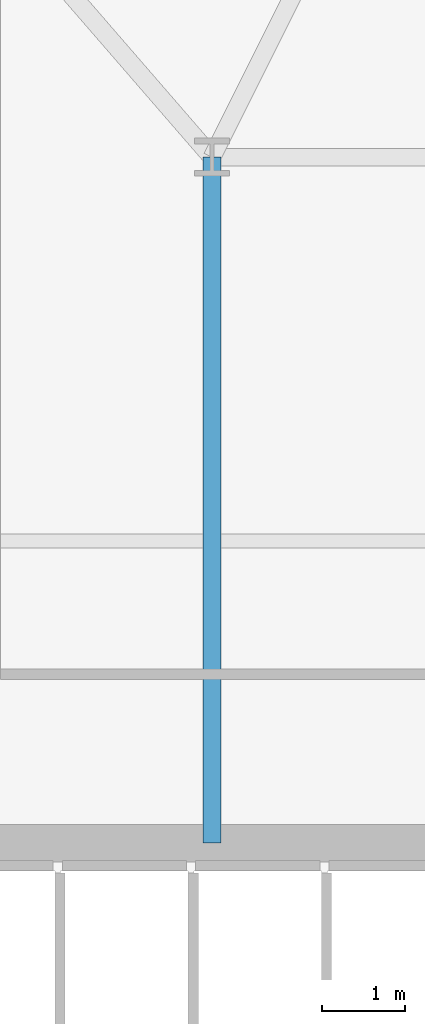
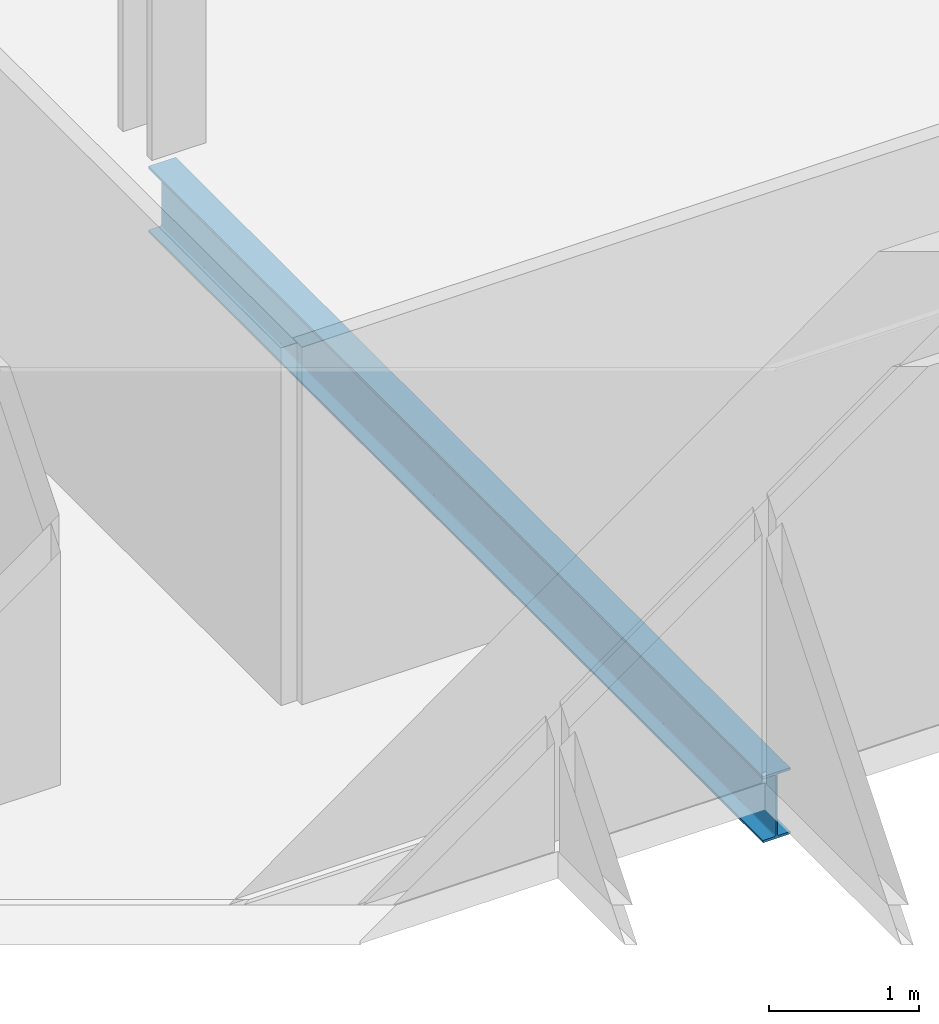
# One storey, part 6 of 33: 1 beam.
"""IFC4 building model written with IfcOpenShell, lengths in metres."""

from ifc_helpers import new_model, si_unit, direction, frame, origin, origin_2d, place, context, subcontext, project, spatial, i_section, extrude, material, material_profile, profile_set, type_object, element, save


model = new_model("IFC4")

# Units and contexts
model_context = context("Model", 3, precision=1e-05, world=origin(), true_north=direction((0.0, 1.0)))
body_context = subcontext(model_context, "Body", "Model", "MODEL_VIEW")
ifc_project = project(units=[si_unit("LENGTHUNIT", "METRE"), si_unit("AREAUNIT", "SQUARE_METRE"), si_unit("VOLUMEUNIT", "CUBIC_METRE"), si_unit("PLANEANGLEUNIT", "RADIAN"), si_unit("MASSUNIT", "GRAM", prefix="KILO")], contexts=[model_context])

# Site, building, storey
site_placement = place(None, origin())
site = spatial("IfcSite", under=ifc_project, at=site_placement, CompositionType="ELEMENT")
building_placement = place(site_placement, origin())
building = spatial("IfcBuilding", under=site, at=building_placement, Name="Ndaravel Arena Tower", CompositionType="ELEMENT")
storey_placement = place(building_placement, frame((0.0, 0.0, 81.60009765625)))
storey = spatial("IfcBuildingStorey", under=building, at=storey_placement, Name="L18", CompositionType="ELEMENT", Elevation=81.60009765625)

# Beam
ifc_material = material(Name="Steel S355", Category="steel")
ifc_material_profile = material_profile(ifc_material, i_section(OverallWidth=0.210693359375, OverallDepth=0.53955078125, WebThickness=0.01171875, FlangeThickness=0.018798828125, FilletRadius=0.0126953125, at=origin_2d()), Name="UB 533x210x109")
ifc_profile_set = profile_set([ifc_material_profile], Name="Steel S355")
beam_type = type_object("IfcBeamType", Name="BM-GIRD-UB533", PredefinedType="BEAM", material=ifc_profile_set)
beam_placement = place(storey_placement, frame((34.199951171875, 14.97998046875, -0.489990234375), z_axis=(0.0, 1.0, 0.0), x_axis=(-1.0, 0.0, 0.0)))
element("IfcBeam", 1, at=beam_placement, inside=storey, type_object=beam_type, Name="L18 Spine Link Girder SLG-01", PredefinedType="BEAM", context=body_context, shape_type="SweptSolid", body=[
    extrude(i_section(OverallWidth=0.210693359375, OverallDepth=0.53955078125, WebThickness=0.01171875, FlangeThickness=0.018798828125, FilletRadius=0.0126953125, at=origin_2d()), origin(), (0.0, 0.0, 1.0), 8.219970703125),
])

save(model, "model.ifc")
